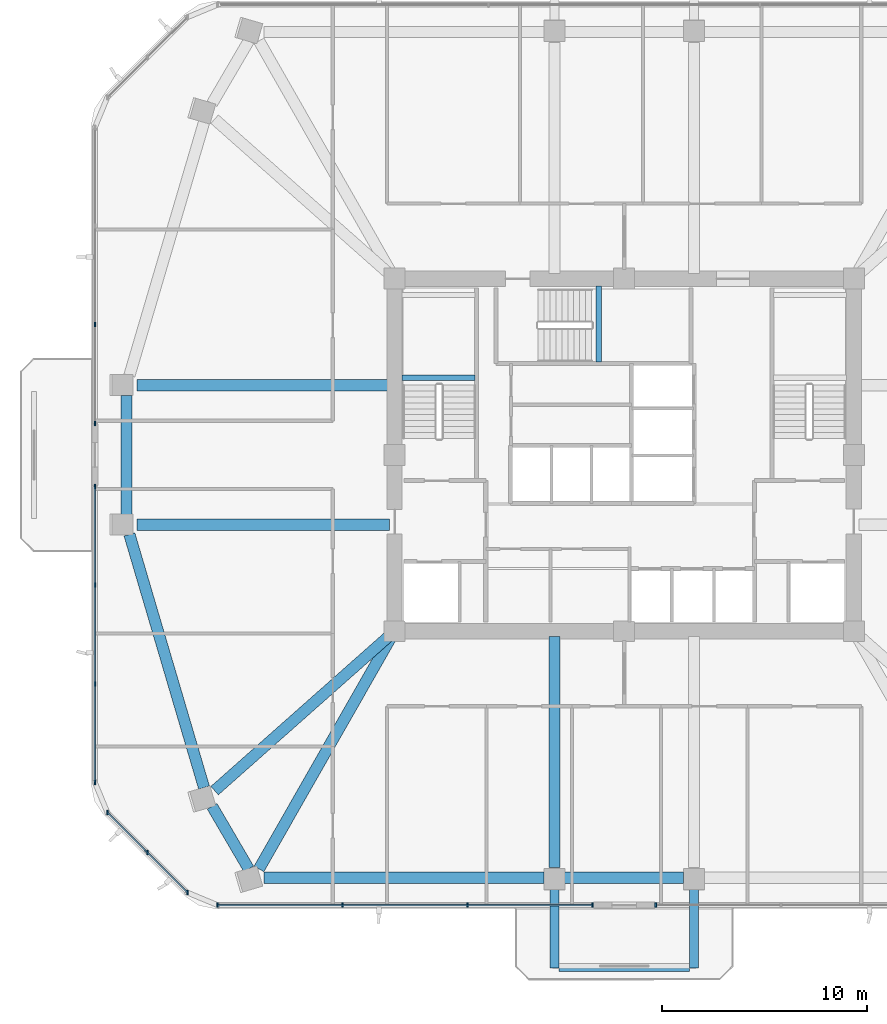
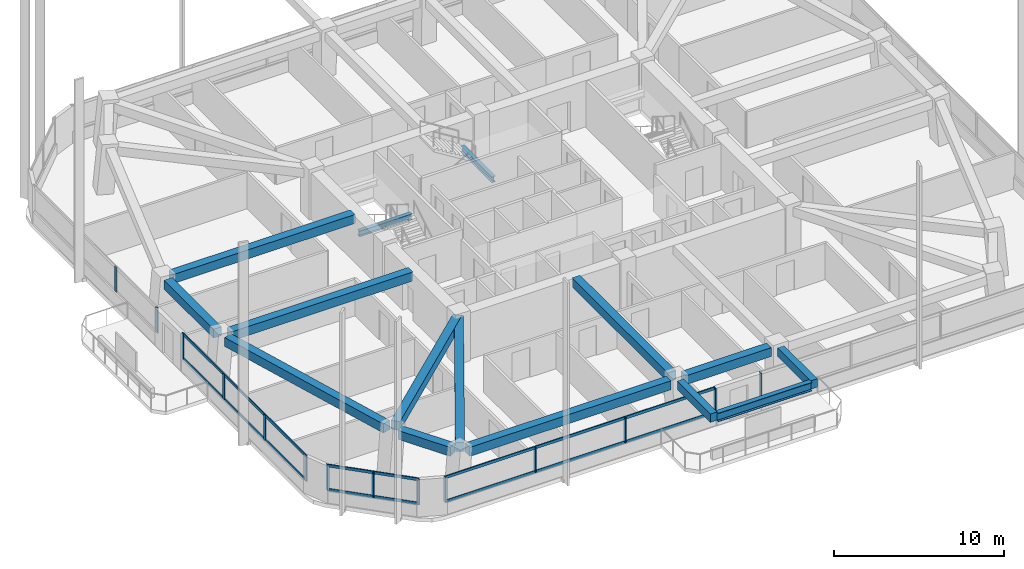
# One storey, part 2 of 15: 20 members, 15 beams, 5 elements without a shape of their own.
"""IFC4 building model written with IfcOpenShell, lengths in metres."""

from ifc_helpers import new_model, si_unit, derived_unit, direction, frame, origin, origin_2d, place, context, subcontext, project, spatial, rectangle, i_section, extrude, material, material_profile, profile_set, type_object, element, aggregate, save


model = new_model("IFC4")

# Units and contexts
model_context = context("Model", 3, precision=1e-05, world=origin(), true_north=direction((0.0, 1.0)))
body_context = subcontext(model_context, "Body", "Model", "MODEL_VIEW")
ifc_project = project(units=[si_unit("LENGTHUNIT", "METRE"), si_unit("AREAUNIT", "SQUARE_METRE"), si_unit("VOLUMEUNIT", "CUBIC_METRE"), si_unit("PLANEANGLEUNIT", "RADIAN"), si_unit("MASSUNIT", "GRAM", prefix="KILO"), derived_unit("THERMALTRANSMITTANCEUNIT", [(si_unit("POWERUNIT", "WATT"), 1), (si_unit("LENGTHUNIT", "METRE"), -2), (si_unit("THERMODYNAMICTEMPERATUREUNIT", "KELVIN"), -1)])], contexts=[model_context])

# Site, building, storey
site_placement = place(None, origin())
site = spatial("IfcSite", under=ifc_project, at=site_placement, CompositionType="ELEMENT")
building_placement = place(site_placement, origin())
building = spatial("IfcBuilding", under=site, at=building_placement, Name="Koralith Skygarden Medical Center", CompositionType="ELEMENT")
storey_placement = place(building_placement, frame((0.0, 0.0, 99.179931640625)))
storey = spatial("IfcBuildingStorey", under=building, at=storey_placement, Name="L25", CompositionType="ELEMENT", Elevation=99.179931640625)

# Curtain wall, members
ifc_material_1 = material(Name="Clear Laminated Glass", Category="glass")
curtain_wall_type = type_object("IfcCurtainWallType", Name="CW-3 Zone 2 Faceted Solar Curtain Wall", PredefinedType="NOTDEFINED", material=ifc_material_1)
curtain_wall_1_placement = place(storey_placement, origin())
curtain_wall_1 = element("IfcCurtainWall", 1, at=curtain_wall_1_placement, inside=storey, type_object=curtain_wall_type, Name="Curtain Wall CW-L25-S-L", PredefinedType="NOTDEFINED")
ifc_material_2 = material(Name="Aluminium 6063-T6", Category="aluminium")
ifc_material_profile_1 = material_profile(ifc_material_2, rectangle(XDim=0.073974609375, YDim=0.219970703125, at=origin_2d()), Name="MUL74X220")
ifc_profile_set_1 = profile_set([ifc_material_profile_1], Name="Aluminium 6063-T6")
member_type_1 = type_object("IfcMemberType", Name="CW-3 Extruded Mullion 74x220", PredefinedType="MULLION", material=ifc_profile_set_1)
member_1_placement = place(storey_placement, frame((17.162109375, 3.945068359375, 0.85009765625), z_axis=(0.0, 0.0, 1.0), x_axis=(1.0, 0.0, 0.0)))
member_1 = element("IfcMember", 2, at=member_1_placement, type_object=member_type_1, Name="CW-L25-S-L Mullion 1", PredefinedType="MULLION", context=body_context, shape_type="SweptSolid", body=[
    extrude(rectangle(XDim=0.073974609375, YDim=0.219970703125, at=origin_2d()), origin(), (0.0, 0.0, 1.0), 1.820068359375),
])
member_2_placement = place(storey_placement, frame((23.260986328125, 3.945068359375, 0.85009765625), z_axis=(0.0, 0.0, 1.0), x_axis=(1.0, 0.0, 0.0)))
member_2 = element("IfcMember", 3, at=member_2_placement, type_object=member_type_1, Name="CW-L25-S-L Mullion 2", PredefinedType="MULLION", context=body_context, shape_type="SweptSolid", body=[
    extrude(rectangle(XDim=0.073974609375, YDim=0.219970703125, at=origin_2d()), origin(), (0.0, 0.0, 1.0), 1.820068359375),
])
member_3_placement = place(storey_placement, frame((29.360107421875, 3.945068359375, 0.85009765625), z_axis=(0.0, 0.0, 1.0), x_axis=(1.0, 0.0, 0.0)))
member_3 = element("IfcMember", 4, at=member_3_placement, type_object=member_type_1, Name="CW-L25-S-L Mullion 3", PredefinedType="MULLION", context=body_context, shape_type="SweptSolid", body=[
    extrude(rectangle(XDim=0.073974609375, YDim=0.219970703125, at=origin_2d()), origin(), (0.0, 0.0, 1.0), 1.820068359375),
])
member_4_placement = place(storey_placement, frame((35.458984375, 3.945068359375, 0.85009765625), z_axis=(0.0, 0.0, 1.0), x_axis=(1.0, 0.0, 0.0)))
member_4 = element("IfcMember", 5, at=member_4_placement, type_object=member_type_1, Name="CW-L25-S-L Mullion 4", PredefinedType="MULLION", context=body_context, shape_type="SweptSolid", body=[
    extrude(rectangle(XDim=0.073974609375, YDim=0.219970703125, at=origin_2d()), origin(), (0.0, 0.0, 1.0), 1.820068359375),
])

# Curtain wall, member
curtain_wall_2_placement = place(storey_placement, origin())
curtain_wall_2 = element("IfcCurtainWall", 6, at=curtain_wall_2_placement, inside=storey, type_object=curtain_wall_type, Name="Curtain Wall CW-L25-S-R", PredefinedType="NOTDEFINED")
member_5_placement = place(storey_placement, frame((38.5390625, 3.945068359375, 0.85009765625), z_axis=(0.0, 0.0, 1.0), x_axis=(1.0, 0.0, 0.0)))
member_5 = element("IfcMember", 7, at=member_5_placement, type_object=member_type_1, Name="CW-L25-S-R Mullion 1", PredefinedType="MULLION", context=body_context, shape_type="SweptSolid", body=[
    extrude(rectangle(XDim=0.073974609375, YDim=0.219970703125, at=origin_2d()), origin(), (0.0, 0.0, 1.0), 1.820068359375),
])
aggregate(curtain_wall_2, [member_5])

# Curtain wall, members
curtain_wall_3_placement = place(storey_placement, origin())
curtain_wall_3 = element("IfcCurtainWall", 8, at=curtain_wall_3_placement, inside=storey, type_object=curtain_wall_type, Name="Curtain Wall CW-L25-W-L", PredefinedType="NOTDEFINED")
member_6_placement = place(storey_placement, frame((11.18701171875, 32.2529296875, 0.85009765625), z_axis=(0.0, 0.0, 1.0), x_axis=(1.0, 0.0, 0.0)))
member_6 = element("IfcMember", 9, at=member_6_placement, type_object=member_type_1, Name="CW-L25-W-L Mullion 3", PredefinedType="MULLION", context=body_context, shape_type="SweptSolid", body=[
    extrude(rectangle(XDim=0.073974609375, YDim=0.219970703125, at=origin_2d()), origin(), (0.0, 0.0, 1.0), 1.820068359375),
])
member_7_placement = place(storey_placement, frame((11.18701171875, 27.43994140625, 0.85009765625), z_axis=(0.0, 0.0, 1.0), x_axis=(1.0, 0.0, 0.0)))
member_7 = element("IfcMember", 10, at=member_7_placement, type_object=member_type_1, Name="CW-L25-W-L Mullion 4", PredefinedType="MULLION", context=body_context, shape_type="SweptSolid", body=[
    extrude(rectangle(XDim=0.073974609375, YDim=0.219970703125, at=origin_2d()), origin(), (0.0, 0.0, 1.0), 1.820068359375),
])
aggregate(curtain_wall_3, [member_6, member_7])

curtain_wall_4_placement = place(storey_placement, origin())
curtain_wall_4 = element("IfcCurtainWall", 11, at=curtain_wall_4_placement, inside=storey, type_object=curtain_wall_type, Name="Curtain Wall CW-L25-W-R", PredefinedType="NOTDEFINED")
member_8_placement = place(storey_placement, frame((11.18701171875, 24.360107421875, 0.85009765625), z_axis=(0.0, 0.0, 1.0), x_axis=(1.0, 0.0, 0.0)))
member_8 = element("IfcMember", 12, at=member_8_placement, type_object=member_type_1, Name="CW-L25-W-R Mullion 1", PredefinedType="MULLION", context=body_context, shape_type="SweptSolid", body=[
    extrude(rectangle(XDim=0.073974609375, YDim=0.219970703125, at=origin_2d()), origin(), (0.0, 0.0, 1.0), 1.820068359375),
])
member_9_placement = place(storey_placement, frame((11.18701171875, 19.547119140625, 0.85009765625), z_axis=(0.0, 0.0, 1.0), x_axis=(1.0, 0.0, 0.0)))
member_9 = element("IfcMember", 13, at=member_9_placement, type_object=member_type_1, Name="CW-L25-W-R Mullion 2", PredefinedType="MULLION", context=body_context, shape_type="SweptSolid", body=[
    extrude(rectangle(XDim=0.073974609375, YDim=0.219970703125, at=origin_2d()), origin(), (0.0, 0.0, 1.0), 1.820068359375),
])
member_10_placement = place(storey_placement, frame((11.18701171875, 14.73388671875, 0.85009765625), z_axis=(0.0, 0.0, 1.0), x_axis=(1.0, 0.0, 0.0)))
member_10 = element("IfcMember", 14, at=member_10_placement, type_object=member_type_1, Name="CW-L25-W-R Mullion 3", PredefinedType="MULLION", context=body_context, shape_type="SweptSolid", body=[
    extrude(rectangle(XDim=0.073974609375, YDim=0.219970703125, at=origin_2d()), origin(), (0.0, 0.0, 1.0), 1.820068359375),
])
member_11_placement = place(storey_placement, frame((11.18701171875, 9.9208984375, 0.85009765625), z_axis=(0.0, 0.0, 1.0), x_axis=(1.0, 0.0, 0.0)))
member_11 = element("IfcMember", 15, at=member_11_placement, type_object=member_type_1, Name="CW-L25-W-R Mullion 4", PredefinedType="MULLION", context=body_context, shape_type="SweptSolid", body=[
    extrude(rectangle(XDim=0.073974609375, YDim=0.219970703125, at=origin_2d()), origin(), (0.0, 0.0, 1.0), 1.820068359375),
])

curtain_wall_5_placement = place(storey_placement, origin())
curtain_wall_5 = element("IfcCurtainWall", 16, at=curtain_wall_5_placement, inside=storey, type_object=curtain_wall_type, Name="Curtain Wall CW-L25-SW", PredefinedType="NOTDEFINED")
member_12_placement = place(storey_placement, frame((11.7880859375, 8.469970703125, 0.85009765625), z_axis=(0.0, 0.0, 1.0), x_axis=(1.0, 0.0, 0.0)))
member_12 = element("IfcMember", 17, at=member_12_placement, type_object=member_type_1, Name="CW-L25-SW Mullion 1", PredefinedType="MULLION", context=body_context, shape_type="SweptSolid", body=[
    extrude(rectangle(XDim=0.073974609375, YDim=0.219970703125, at=origin_2d()), origin(), (0.0, 0.0, 1.0), 1.820068359375),
])
member_13_placement = place(storey_placement, frame((13.75, 6.508056640625, 0.85009765625), z_axis=(0.0, 0.0, 1.0), x_axis=(1.0, 0.0, 0.0)))
member_13 = element("IfcMember", 18, at=member_13_placement, type_object=member_type_1, Name="CW-L25-SW Mullion 2", PredefinedType="MULLION", context=body_context, shape_type="SweptSolid", body=[
    extrude(rectangle(XDim=0.073974609375, YDim=0.219970703125, at=origin_2d()), origin(), (0.0, 0.0, 1.0), 1.820068359375),
])
member_14_placement = place(storey_placement, frame((15.7109375, 4.547119140625, 0.85009765625), z_axis=(0.0, 0.0, 1.0), x_axis=(1.0, 0.0, 0.0)))
member_14 = element("IfcMember", 19, at=member_14_placement, type_object=member_type_1, Name="CW-L25-SW Mullion 3", PredefinedType="MULLION", context=body_context, shape_type="SweptSolid", body=[
    extrude(rectangle(XDim=0.073974609375, YDim=0.219970703125, at=origin_2d()), origin(), (0.0, 0.0, 1.0), 1.820068359375),
])

# Member
ifc_material_profile_2 = material_profile(ifc_material_2, rectangle(XDim=0.069091796875, YDim=0.197998046875, at=origin_2d()), Name="TRN69X198")
ifc_profile_set_2 = profile_set([ifc_material_profile_2], Name="Aluminium 6063-T6")
member_type_2 = type_object("IfcMemberType", Name="CW-3 Thermal Transom 69x198", PredefinedType="USERDEFINED", material=ifc_profile_set_2)
member_15_placement = place(storey_placement, frame((17.162109375, 3.945068359375, 0.900146484375), z_axis=(1.0, 0.0, 0.0), x_axis=(0.0, 1.0, 0.0)))
member_15 = element("IfcMember", 20, at=member_15_placement, type_object=member_type_2, Name="CW-L25-S-L Transom 1", ObjectType="TRANSOM", PredefinedType="USERDEFINED", context=body_context, shape_type="SweptSolid", body=[
    extrude(rectangle(XDim=0.069091796875, YDim=0.197998046875, at=origin_2d()), origin(), (0.0, 0.0, 1.0), 18.296875),
])

member_16_placement = place(storey_placement, frame((17.162109375, 3.945068359375, 2.6201171875), z_axis=(1.0, 0.0, 0.0), x_axis=(0.0, 1.0, 0.0)))
member_16 = element("IfcMember", 21, at=member_16_placement, type_object=member_type_2, Name="CW-L25-S-L Transom 2", ObjectType="TRANSOM", PredefinedType="USERDEFINED", context=body_context, shape_type="SweptSolid", body=[
    extrude(rectangle(XDim=0.069091796875, YDim=0.197998046875, at=origin_2d()), origin(), (0.0, 0.0, 1.0), 18.296875),
])

aggregate(curtain_wall_1, [member_1, member_2, member_3, member_4, member_15, member_16])

member_17_placement = place(storey_placement, frame((11.18701171875, 24.360107421875, 0.900146484375), z_axis=(0.0, -1.0, 0.0), x_axis=(1.0, 0.0, 0.0)))
member_17 = element("IfcMember", 22, at=member_17_placement, type_object=member_type_2, Name="CW-L25-W-R Transom 1", ObjectType="TRANSOM", PredefinedType="USERDEFINED", context=body_context, shape_type="SweptSolid", body=[
    extrude(rectangle(XDim=0.069091796875, YDim=0.197998046875, at=origin_2d()), origin(), (0.0, 0.0, 1.0), 14.439208984375),
])

member_18_placement = place(storey_placement, frame((11.18701171875, 24.360107421875, 2.6201171875), z_axis=(0.0, -1.0, 0.0), x_axis=(1.0, 0.0, 0.0)))
member_18 = element("IfcMember", 23, at=member_18_placement, type_object=member_type_2, Name="CW-L25-W-R Transom 2", ObjectType="TRANSOM", PredefinedType="USERDEFINED", context=body_context, shape_type="SweptSolid", body=[
    extrude(rectangle(XDim=0.069091796875, YDim=0.197998046875, at=origin_2d()), origin(), (0.0, 0.0, 1.0), 14.439208984375),
])

aggregate(curtain_wall_4, [member_8, member_9, member_10, member_11, member_17, member_18])

member_19_placement = place(storey_placement, frame((11.7880859375, 8.469970703125, 0.900146484375), z_axis=(0.707106781187, -0.707106781187, 0.0), x_axis=(0.707106781187, 0.707106781187, 0.0)))
member_19 = element("IfcMember", 24, at=member_19_placement, type_object=member_type_2, Name="CW-L25-SW Transom 1", ObjectType="TRANSOM", PredefinedType="USERDEFINED", context=body_context, shape_type="SweptSolid", body=[
    extrude(rectangle(XDim=0.069091796875, YDim=0.197998046875, at=origin_2d()), origin(), (0.0, 0.0, 1.0), 5.5478515625),
])

member_20_placement = place(storey_placement, frame((11.7880859375, 8.469970703125, 2.6201171875), z_axis=(0.707106781187, -0.707106781187, 0.0), x_axis=(0.707106781187, 0.707106781187, 0.0)))
member_20 = element("IfcMember", 25, at=member_20_placement, type_object=member_type_2, Name="CW-L25-SW Transom 2", ObjectType="TRANSOM", PredefinedType="USERDEFINED", context=body_context, shape_type="SweptSolid", body=[
    extrude(rectangle(XDim=0.069091796875, YDim=0.197998046875, at=origin_2d()), origin(), (0.0, 0.0, 1.0), 5.5478515625),
])

aggregate(curtain_wall_5, [member_12, member_13, member_14, member_19, member_20])

# Beams
ifc_material_3 = material(Name="Steel ASTM A992 Grade 50", Category="steel")
ifc_material_profile_3 = material_profile(ifc_material_3, i_section(OverallWidth=0.326904296875, OverallDepth=0.6220703125, WebThickness=0.015380859375, FlangeThickness=0.0244140625, at=origin_2d()), Name="W24X131")
ifc_profile_set_3 = profile_set([ifc_material_profile_3], Name="Steel ASTM A992 Grade 50")
beam_type_1 = type_object("IfcBeamType", Name="Cantilever Tie Beam W24X131", PredefinedType="BEAM", material=ifc_profile_set_3)
beam_1_placement = place(storey_placement, frame((33.820068359375, 0.864013671875, 3.029052734375), z_axis=(1.0, 0.0, 0.0), x_axis=(0.0, 1.0, 0.0)))
element("IfcBeam", 26, at=beam_1_placement, inside=storey, type_object=beam_type_1, Name="L26 S Balcony Tip Tie Beam", PredefinedType="BEAM", context=body_context, shape_type="SweptSolid", body=[
    extrude(i_section(OverallWidth=0.326904296875, OverallDepth=0.6220703125, WebThickness=0.015380859375, FlangeThickness=0.0244140625, at=origin_2d()), origin(), (0.0, 0.0, 1.0), 6.35986328125),
])
ifc_material_profile_4 = material_profile(ifc_material_3, i_section(OverallWidth=0.260009765625, OverallDepth=0.4150390625, WebThickness=0.010009765625, FlangeThickness=0.016845703125, at=origin_2d()), Name="W16X67")
ifc_profile_set_4 = profile_set([ifc_material_profile_4], Name="Steel ASTM A992 Grade 50")
beam_type_2 = type_object("IfcBeamType", Name="Clinical Floor Joist W16X67", PredefinedType="JOIST", material=ifc_profile_set_4)
beam_2_placement = place(storey_placement, frame((26.155029296875, 29.659912109375, 1.39306640625), z_axis=(1.0, 0.0, 0.0), x_axis=(0.0, 1.0, 0.0)))
element("IfcBeam", 27, at=beam_2_placement, inside=storey, type_object=beam_type_2, Name="L25 Stair ST1 Half-Landing Support Beam 1A", PredefinedType="JOIST", context=body_context, shape_type="SweptSolid", body=[
    extrude(i_section(OverallWidth=0.260009765625, OverallDepth=0.4150390625, WebThickness=0.010009765625, FlangeThickness=0.016845703125, at=origin_2d()), origin(), (0.0, 0.0, 1.0), 3.56494140625),
])
beam_3_placement = place(storey_placement, frame((35.760009765625, 30.43994140625, 1.39306640625), z_axis=(0.0, 1.0, 0.0), x_axis=(-1.0, 0.0, 0.0)))
element("IfcBeam", 28, at=beam_3_placement, inside=storey, type_object=beam_type_2, Name="L25 Stair ST3 Half-Landing Support Beam 1A", PredefinedType="JOIST", context=body_context, shape_type="SweptSolid", body=[
    extrude(i_section(OverallWidth=0.260009765625, OverallDepth=0.4150390625, WebThickness=0.010009765625, FlangeThickness=0.016845703125, at=origin_2d()), origin(), (0.0, 0.0, 1.0), 3.705078125),
])
ifc_material_4 = material(Name="Concrete C45/55", Category="concrete")
ifc_material_profile_5 = material_profile(ifc_material_4, rectangle(XDim=0.449951171875, YDim=0.60009765625, at=origin_2d()), Name="RCB450X600")
ifc_profile_set_5 = profile_set([ifc_material_profile_5], Name="Concrete C45/55")
beam_type_3 = type_object("IfcBeamType", Name="Planted Balcony Cantilever Beam RCB450X600", PredefinedType="BEAM", material=ifc_profile_set_5)
for number, where, z_axis, x_axis, name in (
    (29, (33.60009765625, 4.783935546875, 3.0400390625), (0.0, -1.0, 0.0), (1.0, 0.0, 0.0), "L26 S Balcony Cantilever Beam A"),
    (30, (40.39990234375, 4.783935546875, 3.0400390625), (0.0, -1.0, 0.0), (1.0, 0.0, 0.0), "L26 S Balcony Cantilever Beam B"),
):
    element("IfcBeam", number, at=place(storey_placement, frame(where, z_axis=z_axis, x_axis=x_axis)), inside=storey, type_object=beam_type_3, Name=name, PredefinedType="BEAM", context=body_context, shape_type="SweptSolid", body=[
        extrude(rectangle(XDim=0.449951171875, YDim=0.60009765625, at=origin_2d()), origin(), (0.0, 0.0, 1.0), 3.919921875),
    ])
ifc_material_profile_6 = material_profile(ifc_material_4, rectangle(XDim=0.550048828125, YDim=0.639892578125, at=origin_2d()), Name="RCB550X640")
ifc_profile_set_6 = profile_set([ifc_material_profile_6], Name="Concrete C45/55")
beam_type_4 = type_object("IfcBeamType", Name="Radial Collector Beam RCB550X640", PredefinedType="BEAM", material=ifc_profile_set_6)
beam_4_placement = place(storey_placement, frame((25.550048828125, 22.5, 3.0), z_axis=(-1.0, 0.0, 0.0), x_axis=(0.0, -1.0, 0.0)))
element("IfcBeam", 31, at=beam_4_placement, inside=storey, type_object=beam_type_4, Name="L25 Radial Collector Beam RB-01", PredefinedType="BEAM", context=body_context, shape_type="SweptSolid", body=[
    extrude(rectangle(XDim=0.550048828125, YDim=0.639892578125, at=origin_2d()), origin(), (0.0, 0.0, 1.0), 12.321044921875),
])
beam_5_placement = place(storey_placement, frame((25.613037109375, 17.134033203125, 3.0), z_axis=(-0.748597231664, -0.663025025731, 0.0), x_axis=(0.663025025731, -0.748597231664, 0.0)))
element("IfcBeam", 32, at=beam_5_placement, inside=storey, type_object=beam_type_4, Name="L25 Radial Collector Beam RB-02", PredefinedType="BEAM", context=body_context, shape_type="SweptSolid", body=[
    extrude(rectangle(XDim=0.550048828125, YDim=0.639892578125, at=origin_2d()), origin(), (0.0, 0.0, 1.0), 11.474853515625),
])
beam_6_placement = place(storey_placement, frame((25.676025390625, 17.0830078125, 3.0), z_axis=(-0.495393850048, -0.868668482987, 0.0), x_axis=(0.868668482987, -0.495393850048, 0.0)))
element("IfcBeam", 33, at=beam_6_placement, inside=storey, type_object=beam_type_4, Name="L25 Radial Collector Beam RB-03", PredefinedType="BEAM", context=body_context, shape_type="SweptSolid", body=[
    extrude(rectangle(XDim=0.550048828125, YDim=0.639892578125, at=origin_2d()), origin(), (0.0, 0.0, 1.0), 13.0947265625),
])
beam_7_placement = place(storey_placement, frame((33.60009765625, 17.050048828125, 3.0), z_axis=(0.0, -1.0, 0.0), x_axis=(1.0, 0.0, 0.0)))
element("IfcBeam", 34, at=beam_7_placement, inside=storey, type_object=beam_type_4, Name="L25 Radial Collector Beam RB-04", PredefinedType="BEAM", context=body_context, shape_type="SweptSolid", body=[
    extrude(rectangle(XDim=0.550048828125, YDim=0.639892578125, at=origin_2d()), origin(), (0.0, 0.0, 1.0), 11.276123046875),
])
beam_8_placement = place(storey_placement, frame((25.550048828125, 29.300048828125, 3.0), z_axis=(-1.0, 0.0, 0.0), x_axis=(0.0, -1.0, 0.0)))
element("IfcBeam", 35, at=beam_8_placement, inside=storey, type_object=beam_type_4, Name="L25 Radial Collector Beam RB-16", PredefinedType="BEAM", context=body_context, shape_type="SweptSolid", body=[
    extrude(rectangle(XDim=0.550048828125, YDim=0.639892578125, at=origin_2d()), origin(), (0.0, 0.0, 1.0), 12.321044921875),
])
ifc_material_profile_7 = material_profile(ifc_material_4, rectangle(XDim=0.550048828125, YDim=0.639892578125, at=origin_2d()), Name="RCB550X640")
ifc_profile_set_7 = profile_set([ifc_material_profile_7], Name="Concrete C45/55")
beam_type_5 = type_object("IfcBeamType", Name="Zone 2-3 Spandrel Beam RCB550X640", PredefinedType="SPANDREL", material=ifc_profile_set_7)
beam_9_placement = place(storey_placement, frame((12.8701171875, 22.02001953125, 3.0), z_axis=(0.282651014076, -0.959222812616, 0.0), x_axis=(0.959222812616, 0.282651014076, 0.0)))
element("IfcBeam", 36, at=beam_9_placement, inside=storey, type_object=beam_type_5, Name="L25 Perimeter Spandrel Beam SP-01", PredefinedType="SPANDREL", context=body_context, shape_type="SweptSolid", body=[
    extrude(rectangle(XDim=0.550048828125, YDim=0.639892578125, at=origin_2d()), origin(), (0.0, 0.0, 1.0), 12.870849609375),
])
beam_10_placement = place(storey_placement, frame((16.90087890625, 8.761962890625, 3.0), z_axis=(0.50502386975, -0.863105376523, 0.0), x_axis=(0.863105376523, 0.50502386975, 0.0)))
element("IfcBeam", 37, at=beam_10_placement, inside=storey, type_object=beam_type_5, Name="L25 Perimeter Spandrel Beam SP-02", PredefinedType="SPANDREL", context=body_context, shape_type="SweptSolid", body=[
    extrude(rectangle(XDim=0.550048828125, YDim=0.639892578125, at=origin_2d()), origin(), (0.0, 0.0, 1.0), 3.54052734375),
])
beam_11_placement = place(storey_placement, frame((19.44091796875, 5.27392578125, 3.0), z_axis=(1.0, 0.0, 0.0), x_axis=(0.0, 1.0, 0.0)))
element("IfcBeam", 38, at=beam_11_placement, inside=storey, type_object=beam_type_5, Name="L25 Perimeter Spandrel Beam SP-03", PredefinedType="SPANDREL", context=body_context, shape_type="SweptSolid", body=[
    extrude(rectangle(XDim=0.550048828125, YDim=0.639892578125, at=origin_2d()), origin(), (0.0, 0.0, 1.0), 13.6591796875),
])
beam_12_placement = place(storey_placement, frame((34.10009765625, 5.27392578125, 3.0), z_axis=(1.0, 0.0, 0.0), x_axis=(0.0, 1.0, 0.0)))
element("IfcBeam", 39, at=beam_12_placement, inside=storey, type_object=beam_type_5, Name="L25 Perimeter Spandrel Beam SP-04", PredefinedType="SPANDREL", context=body_context, shape_type="SweptSolid", body=[
    extrude(rectangle(XDim=0.550048828125, YDim=0.639892578125, at=origin_2d()), origin(), (0.0, 0.0, 1.0), 5.7998046875),
])
beam_13_placement = place(storey_placement, frame((12.72900390625, 28.800048828125, 3.0), z_axis=(0.0, -1.0, 0.0), x_axis=(1.0, 0.0, 0.0)))
element("IfcBeam", 40, at=beam_13_placement, inside=storey, type_object=beam_type_5, Name="L25 Perimeter Spandrel Beam SP-16", PredefinedType="SPANDREL", context=body_context, shape_type="SweptSolid", body=[
    extrude(rectangle(XDim=0.550048828125, YDim=0.639892578125, at=origin_2d()), origin(), (0.0, 0.0, 1.0), 5.800048828125),
])

save(model, "model.ifc")
